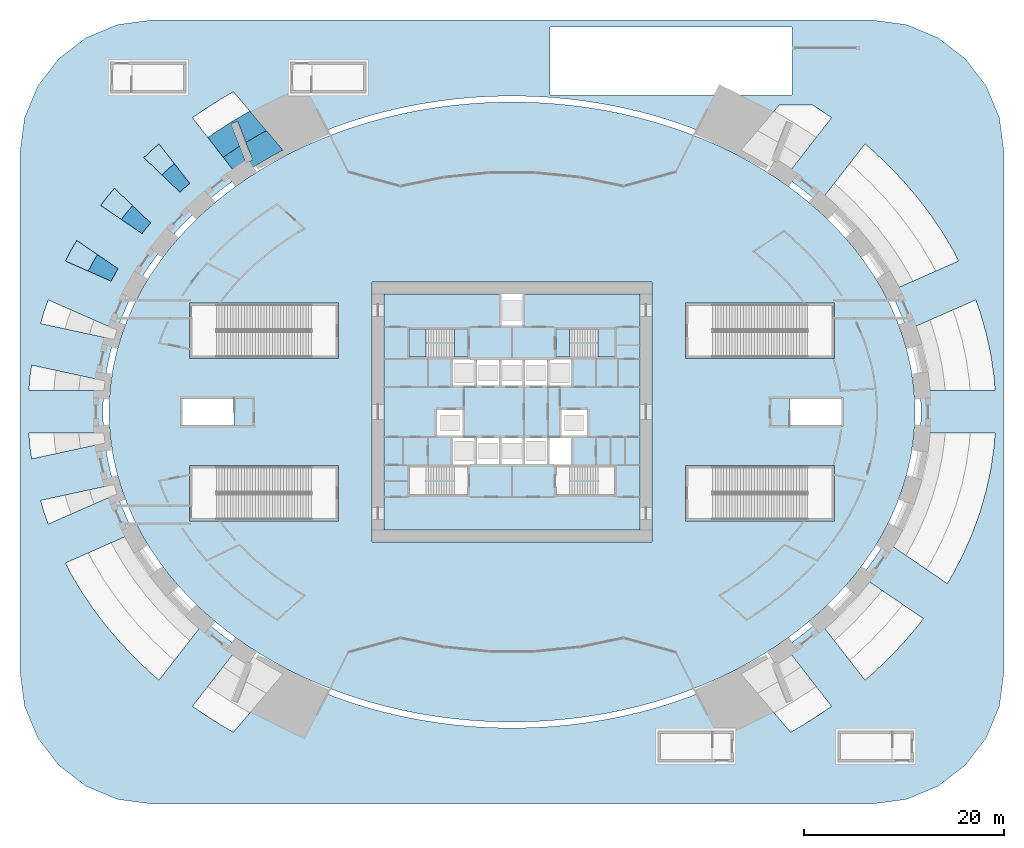
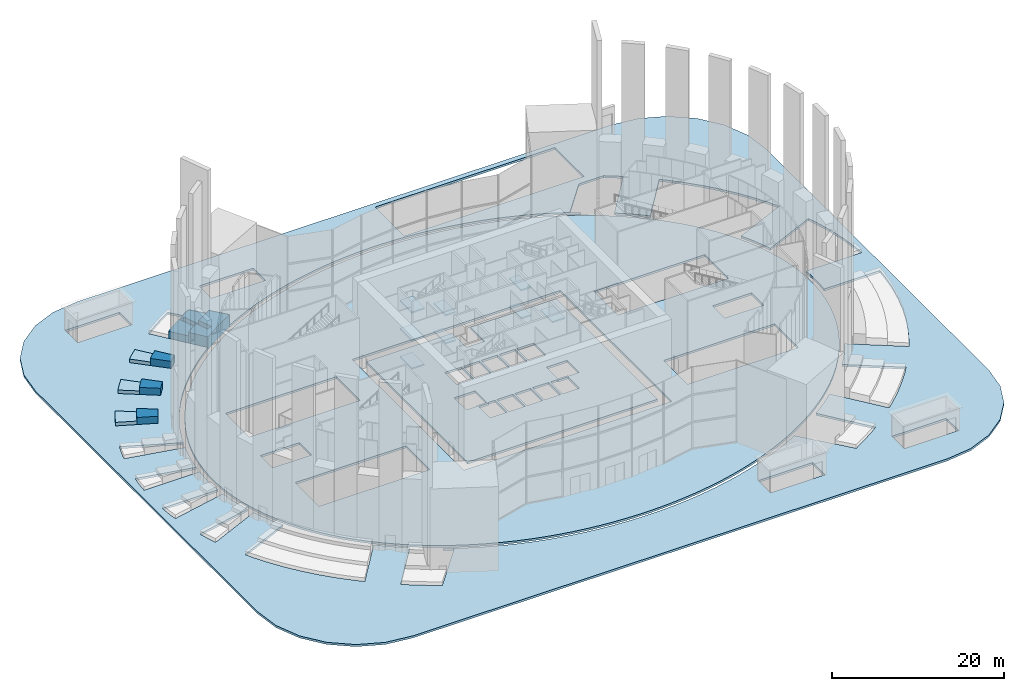
# One storey, part 4 of 25: 19 slabs, 2 elements without a shape of their own.
"""IFC4 building model written with IfcOpenShell, lengths in metres."""

import ifcopenshell
import ifcopenshell.guid

model = None  # the IFC model being written
_history = None  # IfcOwnerHistory: only IFC2X3 demands one
_inside = {}  # id of a spatial element -> (the spatial element, [elements in it])
_under = {}  # id of a project, library or spatial element -> (it, [spatial elements below it])
_declared = {}  # id of a project -> (the project, [libraries it declares])
_typed = {}  # id of a type object -> (the type object, [elements of that type])
_made_of = {}  # id of a material, layer set ... -> (it, [elements and type objects made of it])


def new_model(schema):
    """Start an empty IFC model of exactly this schema.

    Asked for "IFC4X3", IfcOpenShell would pick the latest addendum, in which some entities
    have other attributes; the version numbers below select the first issue.
    IFC2X3 requires an IfcOwnerHistory on every rooted entity: one is made here for all.
    """
    global model, _history
    if schema == "IFC4X3":
        model = ifcopenshell.file(schema_version=(4, 3, 0, 0))
    else:
        model = ifcopenshell.file(schema=schema)
    _inside.clear()
    _under.clear()
    _declared.clear()
    _typed.clear()
    _made_of.clear()
    _history = None
    if model.schema == "IFC2X3":
        org = make("IfcOrganization", Name="unknown")
        user = make(
            "IfcPersonAndOrganization",
            ThePerson=make("IfcPerson", FamilyName="unknown"),
            TheOrganization=org,
        )
        app = make(
            "IfcApplication",
            ApplicationDeveloper=org,
            Version="unknown",
            ApplicationFullName="unknown",
            ApplicationIdentifier="unknown",
        )
        _history = make(
            "IfcOwnerHistory",
            OwningUser=user,
            OwningApplication=app,
            ChangeAction="ADDED",
            CreationDate=0,
        )
    return model


def make(cls, **values):
    """One entity of the class cls with the attributes given. An attribute that is None is left unset."""
    return model.create_entity(
        cls, **{name: value for name, value in values.items() if value is not None}
    )


def rooted(cls, **values):
    """An entity with a GlobalId (a new one), such as an element, a storey or a relation."""
    return make(cls, GlobalId=ifcopenshell.guid.new(), OwnerHistory=_history, **values)


def si_unit(unit_type, name, prefix=None):
    """IfcSIUnit, for example si_unit("LENGTHUNIT", "METRE", prefix="MILLI")."""
    return make("IfcSIUnit", UnitType=unit_type, Prefix=prefix, Name=name)


def assignment(units):
    """IfcUnitAssignment: the units of a project."""
    return None if units is None else make("IfcUnitAssignment", Units=units)


def point(xyz):
    """IfcCartesianPoint."""
    return None if xyz is None else make("IfcCartesianPoint", Coordinates=xyz)


def direction(xyz):
    """IfcDirection."""
    return None if xyz is None else make("IfcDirection", DirectionRatios=xyz)


def frame(location, z_axis=None, x_axis=None):
    """IfcAxis2Placement3D, a coordinate frame: its origin and axes. An axis left out is left unset."""
    return make(
        "IfcAxis2Placement3D",
        Location=point(location),
        Axis=direction(z_axis),
        RefDirection=direction(x_axis),
    )


def origin():
    """The frame at (0, 0, 0) with its axes left unset."""
    return frame((0.0, 0.0, 0.0))


def place(relative_to, where):
    """IfcLocalPlacement: puts the frame where relative to a parent placement (None: the world)."""
    return make(
        "IfcLocalPlacement", PlacementRelTo=relative_to, RelativePlacement=where
    )


def context(
    kind, dimensions, precision=None, world=None, true_north=None, identifier=None
):
    """IfcGeometricRepresentationContext, for example the 3D "Model" context."""
    return make(
        "IfcGeometricRepresentationContext",
        ContextIdentifier=identifier,
        ContextType=kind,
        CoordinateSpaceDimension=dimensions,
        Precision=precision,
        WorldCoordinateSystem=world,
        TrueNorth=true_north,
    )


def subcontext(parent, identifier, kind, view, scale=None):
    """IfcGeometricRepresentationSubContext, for example "Body" below "Model"."""
    return make(
        "IfcGeometricRepresentationSubContext",
        ContextIdentifier=identifier,
        ContextType=kind,
        ParentContext=parent,
        TargetScale=scale,
        TargetView=view,
    )


def project(units=None, contexts=None):
    """IfcProject with its units and contexts."""
    return rooted(
        "IfcProject",
        Name="project",
        RepresentationContexts=contexts,
        UnitsInContext=assignment(units),
    )


def spatial(cls, under=None, at=None, **own):
    """A site, building, storey or space (cls), placed at a placement, below another one or the project."""
    s = rooted(cls, ObjectPlacement=at, **own)
    if under is not None:
        _under.setdefault(under.id(), (under, []))[1].append(s)
    return s


def polyline(points):
    """IfcPolyline through the points."""
    return make("IfcPolyline", Points=[point(p) for p in points])


def outline(outer, holes=None, kind="AREA"):
    """IfcArbitraryClosedProfileDef: a profile drawn as a closed curve; with holes, ...WithVoids."""
    if holes is None:
        return make("IfcArbitraryClosedProfileDef", ProfileType=kind, OuterCurve=outer)
    return make(
        "IfcArbitraryProfileDefWithVoids",
        ProfileType=kind,
        OuterCurve=outer,
        InnerCurves=holes,
    )


def extrude(swept, where, along, depth):
    """IfcExtrudedAreaSolid: the profile swept, set in the frame where, extruded along a direction by depth."""
    return make(
        "IfcExtrudedAreaSolid",
        SweptArea=swept,
        Position=where,
        ExtrudedDirection=direction(along),
        Depth=depth,
    )


def shape(context_of_items, identifier, shape_type, items):
    """IfcShapeRepresentation: the items that make up one representation, for example the "Body"."""
    return make(
        "IfcShapeRepresentation",
        ContextOfItems=context_of_items,
        RepresentationIdentifier=identifier,
        RepresentationType=shape_type,
        Items=items,
    )


def source(mapping_origin, context_of_items, identifier, shape_type, items):
    """IfcRepresentationMap: a shape defined once, which mapped items show again and again."""
    return make(
        "IfcRepresentationMap",
        MappingOrigin=mapping_origin,
        MappedRepresentation=shape(context_of_items, identifier, shape_type, items),
    )


def transform(
    local_origin,
    x_axis=None,
    y_axis=None,
    z_axis=None,
    scale=None,
    scale2=None,
    scale3=None,
    uniform=True,
):
    """IfcCartesianTransformationOperator3D, or its non-uniform kind. x_axis, y_axis, z_axis: its Axis1, 2, 3."""
    if uniform:
        return make(
            "IfcCartesianTransformationOperator3D",
            Axis1=direction(x_axis),
            Axis2=direction(y_axis),
            LocalOrigin=point(local_origin),
            Scale=scale,
            Axis3=direction(z_axis),
        )
    return make(
        "IfcCartesianTransformationOperator3DnonUniform",
        Axis1=direction(x_axis),
        Axis2=direction(y_axis),
        LocalOrigin=point(local_origin),
        Scale=scale,
        Axis3=direction(z_axis),
        Scale2=scale2,
        Scale3=scale3,
    )


def mapped(mapping_source, mapping_target):
    """IfcMappedItem: shows the shape of a source again, moved by a transform."""
    return make(
        "IfcMappedItem", MappingSource=mapping_source, MappingTarget=mapping_target
    )


def material(Name=None, Category=None):
    """IfcMaterial."""
    return make("IfcMaterial", Name=Name, Category=Category)


def layer(
    of_material, thickness, ventilated=None, Name=None, Category=None, Priority=None
):
    """IfcMaterialLayer: one layer of a wall or slab, of a material (None: an air gap)."""
    return make(
        "IfcMaterialLayer",
        Material=of_material,
        LayerThickness=thickness,
        IsVentilated=ventilated,
        Name=Name,
        Category=Category,
        Priority=Priority,
    )


def layer_set(layers, Name=None):
    """IfcMaterialLayerSet."""
    return make("IfcMaterialLayerSet", MaterialLayers=layers, LayerSetName=Name)


def made_of(thing, what):
    """Note that an element or type object is made of a material, layer set ...; save() writes the relation."""
    if what is not None:
        _made_of.setdefault(what.id(), (what, []))[1].append(thing)
    return thing


def type_object(cls, material=None, **own):
    """A type object (cls), such as IfcWallType, which elements share."""
    return made_of(rooted(cls, **own), material)


def element(
    cls,
    number,
    at=None,
    inside=None,
    cuts=None,
    type_object=None,
    material=None,
    context=None,
    identifier="Body",
    shape_type=None,
    held_by="IfcProductDefinitionShape",
    body=None,
    shapes=None,
    **own,
):
    """One element of the class cls, such as IfcWall. Its Tag is "e" and its number.

    at: its placement. inside: the storey or other place that contains it. cuts: it is an
    opening in that element (IfcRelVoidsElement). A single representation is given by context,
    identifier, shape_type and body (its items); several are given by shapes. held_by: the class
    of the entity that holds the representations. save() writes the other relations.
    """
    e = rooted(cls, Tag="e%d" % number, ObjectPlacement=at, **own)
    if body is not None:
        shapes = [shape(context, identifier, shape_type, body)]
    if shapes is not None:
        e.Representation = make(held_by, Representations=shapes)
    if inside is not None:
        _inside.setdefault(inside.id(), (inside, []))[1].append(e)
    if cuts is not None:
        rooted(
            "IfcRelVoidsElement", RelatingBuildingElement=cuts, RelatedOpeningElement=e
        )
    if type_object is not None:
        _typed.setdefault(type_object.id(), (type_object, []))[1].append(e)
    return made_of(e, material)


def aggregate(whole, parts):
    """IfcRelAggregates: a whole, such as a stair, and the parts it consists of."""
    return rooted("IfcRelAggregates", RelatingObject=whole, RelatedObjects=parts)


def save(model, path):
    """Write the relations noted so far, then the file.

    IfcRelAggregates (storeys below a building ...), IfcRelContainedInSpatialStructure (elements
    in a storey), IfcRelDefinesByType, IfcRelAssociatesMaterial and IfcRelDeclares: one each for
    every whole, place, type object, material and project.
    """
    for whole, parts in _under.values():
        aggregate(whole, parts)
    for where, things in _inside.values():
        rooted(
            "IfcRelContainedInSpatialStructure",
            RelatedElements=things,
            RelatingStructure=where,
        )
    for kind, things in _typed.values():
        rooted("IfcRelDefinesByType", RelatedObjects=things, RelatingType=kind)
    for what, things in _made_of.values():
        rooted("IfcRelAssociatesMaterial", RelatedObjects=things, RelatingMaterial=what)
    for by, libraries in _declared.values():
        rooted("IfcRelDeclares", RelatingContext=by, RelatedDefinitions=libraries)
    model.write(path)


model = new_model("IFC4")

# Units and contexts
model_context = context("Model", 3, precision=1e-05, world=origin(), true_north=direction((0.0, 1.0)))
body_context = subcontext(model_context, "Body", "Model", "MODEL_VIEW")
ifc_project = project(units=[si_unit("LENGTHUNIT", "METRE"), si_unit("AREAUNIT", "SQUARE_METRE"), si_unit("VOLUMEUNIT", "CUBIC_METRE"), si_unit("PLANEANGLEUNIT", "RADIAN"), si_unit("MASSUNIT", "GRAM", prefix="KILO")], contexts=[model_context])

# Site, building, storey
site_placement = place(None, origin())
site = spatial("IfcSite", under=ifc_project, at=site_placement, CompositionType="ELEMENT")
building_placement = place(site_placement, origin())
building = spatial("IfcBuilding", under=site, at=building_placement, Name="Embergate Tower", CompositionType="ELEMENT")
storey_placement = place(building_placement, origin())
storey = spatial("IfcBuildingStorey", under=building, at=storey_placement, Name="L00", CompositionType="ELEMENT", Elevation=0.0)

# Slab
ifc_material_1 = material(Name="Concrete C50", Category="concrete")
ifc_layer_1 = layer(ifc_material_1, 0.300048828125)
ifc_layer_set_1 = layer_set([ifc_layer_1], Name="Concrete C50")
slab_type_1 = type_object("IfcSlabType", Name="Podium floor slab C50 300", PredefinedType="FLOOR", material=ifc_layer_set_1)
shared_shape_1 = source(origin(), body_context, "Body", "SweptSolid", [
    extrude(outline(polyline([(0.0, 0.0), (1.7041015625, 0.0), (3.406982421875, 0.054931640625), (5.111083984375, 0.1669921875), (6.80810546875, 0.3330078125), (8.4931640625, 0.554931640625), (10.18115234375, 0.8349609375), (11.85302734375, 1.169921875), (13.504150390625, 1.559814453125), (15.157958984375, 2.011962890625), (16.78515625, 2.518798828125), (18.383056640625, 3.079833984375), (19.98193359375, 3.7080078125), (21.5439453125, 4.390869140625), (23.06396484375, 5.126953125), (24.5830078125, 5.93798828125), (26.052978515625, 6.802001953125), (27.468994140625, 7.7158203125), (28.875, 8.71484375), (30.218017578125, 9.762939453125), (31.49609375, 10.85888671875), (32.7490234375, 12.0458984375), (33.925048828125, 13.27880859375), (35.02001953125, 14.555908203125), (36.071044921875, 15.9248046875), (37.029052734375, 17.3330078125), (37.89208984375, 18.77783203125), (38.68212890625, 20.306884765625), (39.365966796875, 21.866943359375), (39.942138671875, 23.452880859375), (40.4169921875, 25.099853515625), (40.775146484375, 26.763916015625), (41.01513671875, 28.44189453125), (41.136962890625, 30.141845703125), (41.136962890625, 31.843994140625), (41.01513671875, 33.5439453125), (40.775146484375, 35.221923828125), (40.4169921875, 36.885986328125), (39.942138671875, 38.532958984375), (39.365966796875, 40.118896484375), (38.68212890625, 41.678955078125), (37.89208984375, 43.2080078125), (37.029052734375, 44.65283203125), (36.071044921875, 46.06103515625), (35.02001953125, 47.429931640625), (33.925048828125, 48.70703125), (32.7490234375, 49.93994140625), (31.49609375, 51.126953125), (30.218017578125, 52.222900390625), (28.875, 53.27099609375), (27.468994140625, 54.27001953125), (26.052978515625, 55.183837890625), (24.5830078125, 56.0478515625), (23.06396484375, 56.85888671875), (21.5439453125, 57.594970703125), (19.98193359375, 58.27783203125), (18.383056640625, 58.906005859375), (16.78515625, 59.467041015625), (15.157958984375, 59.973876953125), (13.504150390625, 60.426025390625), (11.85302734375, 60.81591796875), (10.18115234375, 61.15087890625), (8.4931640625, 61.430908203125), (6.80810546875, 61.65283203125), (5.111083984375, 61.81884765625), (3.406982421875, 61.930908203125), (1.7041015625, 61.98583984375), (0.0, 61.98583984375), (-1.702880859375, 61.930908203125), (-3.406982421875, 61.81884765625), (-5.10400390625, 61.65283203125), (-6.7890625, 61.430908203125), (-8.47705078125, 61.15087890625), (-10.14892578125, 60.81591796875), (-11.800048828125, 60.426025390625), (-13.453857421875, 59.973876953125), (-15.0810546875, 59.467041015625), (-16.678955078125, 58.906005859375), (-18.27783203125, 58.27783203125), (-19.83984375, 57.594970703125), (-21.35986328125, 56.85888671875), (-22.87890625, 56.0478515625), (-24.348876953125, 55.183837890625), (-25.764892578125, 54.27001953125), (-27.1708984375, 53.27099609375), (-28.513916015625, 52.222900390625), (-29.7919921875, 51.126953125), (-31.044921875, 49.93994140625), (-32.220947265625, 48.70703125), (-33.31591796875, 47.429931640625), (-34.366943359375, 46.06103515625), (-35.324951171875, 44.65283203125), (-36.18798828125, 43.2080078125), (-36.97802734375, 41.678955078125), (-37.661865234375, 40.118896484375), (-38.238037109375, 38.532958984375), (-38.712890625, 36.885986328125), (-39.071044921875, 35.221923828125), (-39.31103515625, 33.5439453125), (-39.432861328125, 31.843994140625), (-39.432861328125, 30.141845703125), (-39.31103515625, 28.44189453125), (-39.071044921875, 26.763916015625), (-38.712890625, 25.099853515625), (-38.238037109375, 23.452880859375), (-37.661865234375, 21.866943359375), (-36.97802734375, 20.306884765625), (-36.18798828125, 18.77783203125), (-35.324951171875, 17.3330078125), (-34.366943359375, 15.9248046875), (-33.31591796875, 14.555908203125), (-32.220947265625, 13.27880859375), (-31.044921875, 12.0458984375), (-29.7919921875, 10.85888671875), (-28.513916015625, 9.762939453125), (-27.1708984375, 8.71484375), (-25.764892578125, 7.7158203125), (-24.348876953125, 6.802001953125), (-22.87890625, 5.93798828125), (-21.35986328125, 5.126953125), (-19.83984375, 4.390869140625), (-18.27783203125, 3.7080078125), (-16.678955078125, 3.079833984375), (-15.0810546875, 2.518798828125), (-13.453857421875, 2.011962890625), (-11.800048828125, 1.559814453125), (-10.14892578125, 1.169921875), (-8.47705078125, 0.8349609375), (-6.7890625, 0.554931640625), (-5.10400390625, 0.3330078125), (-3.406982421875, 0.1669921875), (-1.702880859375, 0.054931640625), (0.0, 0.0)]), holes=[polyline([(-13.14794921875, 17.992919921875), (-13.14794921875, 43.992919921875), (14.85205078125, 43.992919921875), (14.85205078125, 17.992919921875), (-13.14794921875, 17.992919921875)]), polyline([(-31.41796875, 20.093017578125), (-31.41796875, 25.642822265625), (-16.498046875, 25.642822265625), (-16.498046875, 20.093017578125), (-31.41796875, 20.093017578125)]), polyline([(18.2021484375, 20.093017578125), (18.2021484375, 25.642822265625), (33.1220703125, 25.642822265625), (33.1220703125, 20.093017578125), (18.2021484375, 20.093017578125)]), polyline([(-32.218017578125, 29.56787109375), (-32.218017578125, 32.41796875), (-26.9580078125, 32.41796875), (-26.9580078125, 29.56787109375), (-32.218017578125, 29.56787109375)]), polyline([(28.662109375, 29.56787109375), (28.662109375, 32.41796875), (33.922119140625, 32.41796875), (33.922119140625, 29.56787109375), (28.662109375, 29.56787109375)]), polyline([(-31.41796875, 36.343017578125), (-31.41796875, 41.892822265625), (-16.498046875, 41.892822265625), (-16.498046875, 36.343017578125), (-31.41796875, 36.343017578125)]), polyline([(18.2021484375, 36.343017578125), (18.2021484375, 41.892822265625), (33.1220703125, 41.892822265625), (33.1220703125, 36.343017578125), (18.2021484375, 36.343017578125)])]), origin(), (0.0, 0.0, 1.0), 0.300048828125),
])
slab_1_placement = place(storey_placement, frame((-0.85205078125, -30.992919921875, -0.300048828125)))
element("IfcSlab", 1, at=slab_1_placement, inside=storey, type_object=slab_type_1, Name="SLB-L00-00", PredefinedType="FLOOR", context=body_context, shape_type="MappedRepresentation", body=[
    mapped(shared_shape_1, transform((0.0, 0.0, 0.0))),
])

# Stair, slabs
ifc_material_2 = material(Name="Exit stair")
stair_type = type_object("IfcStairType", Name="Exit stair", PredefinedType="HALF_TURN_STAIR", material=ifc_material_2)
stair_1_placement = place(storey_placement, origin())
stair_1 = element("IfcStair", 2, at=stair_1_placement, inside=storey, type_object=stair_type, Name="L00 Exit stair 1", PredefinedType="HALF_TURN_STAIR")
ifc_material_3 = material(Name="Concrete C40", Category="concrete")
ifc_layer_2 = layer(ifc_material_3, 0.199951171875)
ifc_layer_set_2 = layer_set([ifc_layer_2], Name="Concrete C40")
slab_type_2 = type_object("IfcSlabType", Name="Stair landing reinforced concrete", PredefinedType="LANDING", material=ifc_layer_set_2)
shared_shape_2 = source(origin(), body_context, "Body", "SweptSolid", [
    extrude(outline(polyline([(0.0, 0.0), (1.68994140625, 0.0), (1.68994140625, 2.800048828125), (0.0, 2.800048828125), (0.0, 0.0)])), origin(), (0.0, 0.0, 1.0), 0.199951171875),
])
slab_2_placement = place(storey_placement, frame((-10.300048828125, 5.5, 1.800048828125)))
slab_2 = element("IfcSlab", 3, at=slab_2_placement, type_object=slab_type_2, Name="ST1 landing 1", PredefinedType="LANDING", context=body_context, shape_type="MappedRepresentation", body=[
    mapped(shared_shape_2, transform((0.0, 0.0, 0.0))),
])
slab_3_placement = place(storey_placement, frame((-10.300048828125, 5.5, 5.800048828125)))
slab_3 = element("IfcSlab", 4, at=slab_3_placement, type_object=slab_type_2, Name="ST1 landing 3", PredefinedType="LANDING", context=body_context, shape_type="MappedRepresentation", body=[
    mapped(shared_shape_2, transform((0.0, 0.0, 0.0))),
])
slab_4_placement = place(storey_placement, frame((-10.300048828125, 5.5, 9.800048828125)))
slab_4 = element("IfcSlab", 5, at=slab_4_placement, type_object=slab_type_2, Name="ST1 landing 5", PredefinedType="LANDING", context=body_context, shape_type="MappedRepresentation", body=[
    mapped(shared_shape_2, transform((0.0, 0.0, 0.0))),
])

# Stair, slab
stair_2_placement = place(storey_placement, origin())
stair_2 = element("IfcStair", 6, at=stair_2_placement, inside=storey, type_object=stair_type, Name="L00 Exit stair 2", PredefinedType="HALF_TURN_STAIR")
slab_5_placement = place(storey_placement, frame((8.610107421875, 5.5, 1.800048828125)))
slab_5 = element("IfcSlab", 7, at=slab_5_placement, type_object=slab_type_2, Name="ST2 landing 1", PredefinedType="LANDING", context=body_context, shape_type="MappedRepresentation", body=[
    mapped(shared_shape_2, transform((0.0, 0.0, 0.0))),
])

# Slab
shared_shape_3 = source(origin(), body_context, "Body", "SweptSolid", [
    extrude(outline(polyline([(0.0, 0.0), (1.35009765625, 0.0), (1.35009765625, 2.800048828125), (0.0, 2.800048828125), (0.0, 0.0)])), origin(), (0.0, 0.0, 1.0), 0.199951171875),
])
slab_6_placement = place(storey_placement, frame((-5.75, 5.5, 3.800048828125)))
slab_6 = element("IfcSlab", 8, at=slab_6_placement, type_object=slab_type_2, Name="ST1 landing 2", PredefinedType="LANDING", context=body_context, shape_type="MappedRepresentation", body=[
    mapped(shared_shape_3, transform((0.0, 0.0, 0.0))),
])

slab_7_placement = place(storey_placement, frame((-5.75, 5.5, 7.800048828125)))
slab_7 = element("IfcSlab", 9, at=slab_7_placement, type_object=slab_type_2, Name="ST1 landing 4", PredefinedType="LANDING", context=body_context, shape_type="MappedRepresentation", body=[
    mapped(shared_shape_3, transform((0.0, 0.0, 0.0))),
])

aggregate(stair_1, [slab_2, slab_6, slab_3, slab_7, slab_4])

slab_8_placement = place(storey_placement, frame((4.39990234375, 5.5, 3.800048828125)))
slab_8 = element("IfcSlab", 10, at=slab_8_placement, type_object=slab_type_2, Name="ST2 landing 2", PredefinedType="LANDING", context=body_context, shape_type="MappedRepresentation", body=[
    mapped(shared_shape_3, transform((0.0, 0.0, 0.0))),
])

slab_9_placement = place(storey_placement, frame((4.39990234375, 5.5, 7.800048828125)))
slab_9 = element("IfcSlab", 11, at=slab_9_placement, type_object=slab_type_2, Name="ST2 landing 4", PredefinedType="LANDING", context=body_context, shape_type="MappedRepresentation", body=[
    mapped(shared_shape_3, transform((0.0, 0.0, 0.0))),
])

aggregate(stair_2, [slab_5, slab_8, slab_9])

# Slabs
ifc_layer_3 = layer(ifc_material_3, 0.300048828125)
ifc_layer_set_3 = layer_set([ifc_layer_3], Name="Concrete C40")
slab_type_3 = type_object("IfcSlabType", Name="Core floor slab 300 reinforced concrete", PredefinedType="FLOOR", material=ifc_layer_set_3)
shared_shape_4 = source(origin(), body_context, "Body", "SweptSolid", [
    extrude(outline(polyline([(0.0, 0.0), (25.60009765625, 0.0), (25.60009765625, 23.60009765625), (14.0, 23.60009765625), (14.0, 20.300048828125), (11.60009765625, 20.300048828125), (11.60009765625, 23.60009765625), (0.0, 23.60009765625), (0.0, 0.0)]), holes=[polyline([(6.800048828125, 6.5), (6.800048828125, 9.175048828125), (8.125, 9.175048828125), (8.125, 9.300048828125), (9.074951171875, 9.300048828125), (9.074951171875, 6.5), (6.800048828125, 6.5)]), polyline([(9.324951171875, 6.5), (9.324951171875, 9.300048828125), (11.47509765625, 9.300048828125), (11.47509765625, 6.5), (9.324951171875, 6.5)]), polyline([(11.72509765625, 6.5), (11.72509765625, 9.300048828125), (13.875, 9.300048828125), (13.875, 6.5), (11.72509765625, 6.5)]), polyline([(14.125, 6.5), (14.125, 9.300048828125), (16.275146484375, 9.300048828125), (16.275146484375, 6.5), (14.125, 6.5)]), polyline([(16.525146484375, 6.5), (16.525146484375, 9.300048828125), (17.47509765625, 9.300048828125), (17.47509765625, 9.175048828125), (18.800048828125, 9.175048828125), (18.800048828125, 6.5), (16.525146484375, 6.5)]), polyline([(5.199951171875, 9.300048828125), (5.199951171875, 12.10009765625), (8.0, 12.10009765625), (8.0, 9.425048828125), (6.675048828125, 9.425048828125), (6.675048828125, 9.300048828125), (5.199951171875, 9.300048828125)]), polyline([(18.925048828125, 9.300048828125), (18.925048828125, 9.425048828125), (17.60009765625, 9.425048828125), (17.60009765625, 12.10009765625), (20.400146484375, 12.10009765625), (20.400146484375, 9.300048828125), (18.925048828125, 9.300048828125)]), polyline([(6.800048828125, 14.300048828125), (6.800048828125, 17.10009765625), (9.074951171875, 17.10009765625), (9.074951171875, 14.300048828125), (6.800048828125, 14.300048828125)]), polyline([(9.324951171875, 14.300048828125), (9.324951171875, 17.10009765625), (11.47509765625, 17.10009765625), (11.47509765625, 14.300048828125), (9.324951171875, 14.300048828125)]), polyline([(11.72509765625, 14.300048828125), (11.72509765625, 17.10009765625), (13.875, 17.10009765625), (13.875, 14.300048828125), (11.72509765625, 14.300048828125)]), polyline([(14.125, 14.300048828125), (14.125, 17.10009765625), (16.275146484375, 17.10009765625), (16.275146484375, 14.300048828125), (14.125, 14.300048828125)]), polyline([(16.525146484375, 14.300048828125), (16.525146484375, 17.10009765625), (18.800048828125, 17.10009765625), (18.800048828125, 14.300048828125), (16.525146484375, 14.300048828125)])]), origin(), (0.0, 0.0, 1.0), 0.300048828125),
])
slab_10_placement = place(storey_placement, frame((-12.800048828125, -11.800048828125, -0.300048828125)))
element("IfcSlab", 12, at=slab_10_placement, inside=storey, type_object=slab_type_3, Name="Core floor slab", PredefinedType="FLOOR", context=body_context, shape_type="MappedRepresentation", body=[
    mapped(shared_shape_4, transform((0.0, 0.0, 0.0))),
])
ifc_material_4 = material(Name="Stone on concrete fill", Category="masonry")
ifc_layer_4 = layer(ifc_material_4, 0.5)
ifc_layer_set_4 = layer_set([ifc_layer_4], Name="Stone plinth step")
slab_type_4 = type_object("IfcSlabType", Name="Plinth step stone 500", PredefinedType="USERDEFINED", material=ifc_layer_set_4)
shared_shape_5 = source(origin(), body_context, "Body", "SweptSolid", [
    extrude(outline(polyline([(0.0, 0.0), (-1.536865234375, 1.97412109375), (-1.014892578125, 2.343994140625), (0.1201171875, 3.076904296875), (0.751220703125, 1.43701171875), (1.404052734375, 1.68896484375), (0.72412109375, 3.455078125), (2.092041015625, 4.259033203125), (2.7861328125, 4.6298828125), (4.442138671875, 2.680908203125), (3.314208984375, 2.0791015625), (1.82421875, 1.201904296875), (0.38623046875, 0.27392578125), (0.0, 0.0)])), origin(), (0.0, 0.0, 1.0), 1.800048828125),
])
slab_11_placement = place(storey_placement, frame((-27.339111328125, 23.5, -0.300048828125)))
element("IfcSlab", 13, at=slab_11_placement, inside=storey, type_object=slab_type_4, Name="Plinth step", ObjectType="PLINTH STEP", PredefinedType="USERDEFINED", context=body_context, shape_type="MappedRepresentation", body=[
    mapped(shared_shape_5, transform((0.0, 0.0, 0.0))),
])
shared_shape_6 = source(origin(), body_context, "Body", "SweptSolid", [
    extrude(outline(polyline([(0.0, 0.0), (-1.537109375, 1.973876953125), (-0.87890625, 2.44091796875), (0.737060546875, 3.48388671875), (2.406982421875, 4.4658203125), (2.66796875, 4.60498046875), (4.322998046875, 2.65576171875), (3.62890625, 2.284912109375), (2.260986328125, 1.48095703125), (1.446044921875, 3.594970703125), (0.79296875, 3.3427734375), (1.656982421875, 1.102783203125), (0.52197265625, 0.369873046875), (0.0, 0.0)])), origin(), (0.0, 0.0, 1.0), 1.300048828125),
])
slab_12_placement = place(storey_placement, frame((-28.8759765625, 25.47412109375, -0.300048828125)))
element("IfcSlab", 14, at=slab_12_placement, inside=storey, type_object=slab_type_4, Name="Plinth step", ObjectType="PLINTH STEP", PredefinedType="USERDEFINED", context=body_context, shape_type="MappedRepresentation", body=[
    mapped(shared_shape_6, transform((0.0, 0.0, 0.0))),
])
shared_shape_7 = source(origin(), body_context, "Body", "SweptSolid", [
    extrude(outline(polyline([(0.0, 0.0), (-1.80810546875, 1.72900390625), (-1.190185546875, 2.31494140625), (-0.56298828125, 2.85302734375), (0.974853515625, 0.87890625), (0.48291015625, 0.45703125), (0.0, 0.0)])), origin(), (0.0, 0.0, 1.0), 1.300048828125),
])
slab_13_placement = place(storey_placement, frame((-33.200927734375, 21.97998046875, -0.300048828125)))
element("IfcSlab", 15, at=slab_13_placement, inside=storey, type_object=slab_type_4, Name="Plinth step", ObjectType="PLINTH STEP", PredefinedType="USERDEFINED", context=body_context, shape_type="MappedRepresentation", body=[
    mapped(shared_shape_7, transform((0.0, 0.0, 0.0))),
])
shared_shape_8 = source(origin(), body_context, "Body", "SweptSolid", [
    extrude(outline(polyline([(0.0, 0.0), (-2.06787109375, 1.409912109375), (-1.516845703125, 2.126953125), (-0.947021484375, 2.791015625), (0.862060546875, 1.06201171875), (0.422119140625, 0.550048828125), (0.0, 0.0)])), origin(), (0.0, 0.0, 1.0), 1.300048828125),
])
slab_14_placement = place(storey_placement, frame((-36.99609375, 17.843017578125, -0.300048828125)))
element("IfcSlab", 16, at=slab_14_placement, inside=storey, type_object=slab_type_4, Name="Plinth step", ObjectType="PLINTH STEP", PredefinedType="USERDEFINED", context=body_context, shape_type="MappedRepresentation", body=[
    mapped(shared_shape_8, transform((0.0, 0.0, 0.0))),
])
shared_shape_9 = source(origin(), body_context, "Body", "SweptSolid", [
    extrude(outline(polyline([(0.0, 0.0), (-2.2919921875, 1.008056640625), (-1.851806640625, 1.85888671875), (-1.3759765625, 2.656982421875), (0.693115234375, 1.2470703125), (0.33203125, 0.64208984375), (0.0, 0.0)])), origin(), (0.0, 0.0, 1.0), 1.300048828125),
])
slab_15_placement = place(storey_placement, frame((-40.0791015625, 13.08203125, -0.300048828125)))
element("IfcSlab", 17, at=slab_15_placement, inside=storey, type_object=slab_type_4, Name="Plinth step", ObjectType="PLINTH STEP", PredefinedType="USERDEFINED", context=body_context, shape_type="MappedRepresentation", body=[
    mapped(shared_shape_9, transform((0.0, 0.0, 0.0))),
])
shared_shape_10 = source(origin(), body_context, "Body", "SweptSolid", [
    extrude(outline(polyline([(0.0, 0.0), (-1.80908203125, 1.72900390625), (-1.054931640625, 2.443115234375), (-0.2919921875, 3.09912109375), (1.2451171875, 1.1240234375), (0.617919921875, 0.5859375), (0.0, 0.0)])), origin(), (0.0, 0.0, 1.0), 0.800048828125),
])
slab_16_placement = place(storey_placement, frame((-35.009033203125, 23.708984375, -0.300048828125)))
element("IfcSlab", 18, at=slab_16_placement, inside=storey, type_object=slab_type_4, Name="Plinth step", ObjectType="PLINTH STEP", PredefinedType="USERDEFINED", context=body_context, shape_type="MappedRepresentation", body=[
    mapped(shared_shape_10, transform((0.0, 0.0, 0.0))),
])
shared_shape_11 = source(origin(), body_context, "Body", "SweptSolid", [
    extrude(outline(polyline([(0.0, 0.0), (-2.067138671875, 1.41015625), (-1.388916015625, 2.294189453125), (-0.68798828125, 3.111083984375), (1.120849609375, 1.381103515625), (0.551025390625, 0.717041015625), (0.0, 0.0)])), origin(), (0.0, 0.0, 1.0), 0.800048828125),
])
slab_17_placement = place(storey_placement, frame((-39.06396484375, 19.2529296875, -0.300048828125)))
element("IfcSlab", 19, at=slab_17_placement, inside=storey, type_object=slab_type_4, Name="Plinth step", ObjectType="PLINTH STEP", PredefinedType="USERDEFINED", context=body_context, shape_type="MappedRepresentation", body=[
    mapped(shared_shape_11, transform((0.0, 0.0, 0.0))),
])
shared_shape_12 = source(origin(), body_context, "Body", "SweptSolid", [
    extrude(outline(polyline([(0.0, 0.0), (-2.2919921875, 1.009033203125), (-1.743896484375, 2.06787109375), (-1.15185546875, 3.059814453125), (0.916015625, 1.64892578125), (0.440185546875, 0.850830078125), (0.0, 0.0)])), origin(), (0.0, 0.0, 1.0), 0.800048828125),
])
slab_18_placement = place(storey_placement, frame((-42.37109375, 14.090087890625, -0.300048828125)))
element("IfcSlab", 20, at=slab_18_placement, inside=storey, type_object=slab_type_4, Name="Plinth step", ObjectType="PLINTH STEP", PredefinedType="USERDEFINED", context=body_context, shape_type="MappedRepresentation", body=[
    mapped(shared_shape_12, transform((0.0, 0.0, 0.0))),
])
ifc_material_5 = material(Name="Paving stone on concrete bed", Category="masonry")
ifc_layer_5 = layer(ifc_material_5, 0.300048828125)
ifc_layer_set_5 = layer_set([ifc_layer_5], Name="Stone paving")
slab_type_5 = type_object("IfcSlabType", Name="Plaza paving stone 300", PredefinedType="USERDEFINED", material=ifc_layer_set_5)
shared_shape_13 = source(origin(), body_context, "Body", "SweptSolid", [
    extrude(outline(polyline([(0.0, 0.0), (71.89599609375, 0.0), (75.362060546875, 0.4560546875), (78.5439453125, 1.77490234375), (81.27587890625, 3.8720703125), (83.373046875, 6.60400390625), (84.69189453125, 9.785888671875), (85.14794921875, 13.251953125), (85.14794921875, 65.14794921875), (84.69189453125, 68.614013671875), (83.373046875, 71.7958984375), (81.27587890625, 74.52783203125), (78.5439453125, 76.625), (75.362060546875, 77.94384765625), (71.89599609375, 78.39990234375), (0.0, 78.39990234375), (-3.466064453125, 77.94384765625), (-6.64794921875, 76.625), (-9.3798828125, 74.52783203125), (-11.47705078125, 71.7958984375), (-12.7958984375, 68.614013671875), (-13.251953125, 65.14794921875), (-13.251953125, 13.251953125), (-12.7958984375, 9.785888671875), (-11.47705078125, 6.60400390625), (-9.3798828125, 3.8720703125), (-6.64794921875, 1.77490234375), (-3.466064453125, 0.4560546875), (0.0, 0.0)]), holes=[polyline([(50.677978515625, 4.349853515625), (50.677978515625, 7.199951171875), (57.947998046875, 7.199951171875), (57.947998046875, 4.349853515625), (50.677978515625, 4.349853515625)]), polyline([(68.677978515625, 4.349853515625), (68.677978515625, 7.199951171875), (75.947998046875, 7.199951171875), (75.947998046875, 4.349853515625), (68.677978515625, 4.349853515625)]), polyline([(8.089111328125, 7.177978515625), (6.4970703125, 8.113037109375), (4.7919921875, 9.21484375), (3.998046875, 9.77783203125), (5.534912109375, 11.751953125), (7.072021484375, 13.725830078125), (8.60888671875, 15.699951171875), (7.56689453125, 16.43994140625), (6.200927734375, 17.505859375), (5.259033203125, 18.31494140625), (3.721923828125, 16.341064453125), (2.18505859375, 14.366943359375), (0.64697265625, 12.391845703125), (-0.115966796875, 13.0478515625), (-1.666015625, 14.514892578125), (-3.1298828125, 16.051025390625), (-4.5048828125, 17.65283203125), (-5.8349609375, 19.385986328125), (-7.056884765625, 21.182861328125), (-8.1669921875, 23.0419921875), (-8.715087890625, 24.100830078125), (-6.423095703125, 25.10986328125), (-4.131103515625, 26.117919921875), (-1.84033203125, 27.126953125), (-2.424072265625, 28.255859375), (-3.123046875, 29.850830078125), (-3.547119140625, 31.01904296875), (-5.839111328125, 30.010009765625), (-8.131103515625, 29.0009765625), (-10.423095703125, 27.992919921875), (-10.843017578125, 29.14892578125), (-11.19189453125, 30.35888671875), (-8.743896484375, 30.887939453125), (-6.2958984375, 31.4169921875), (-3.847900390625, 31.946044921875), (-4.198974609375, 33.159912109375), (-4.56591796875, 34.865966796875), (-4.742919921875, 36.100830078125), (-7.19091796875, 35.572021484375), (-9.638916015625, 35.04296875), (-12.087890625, 34.513916015625), (-12.26904296875, 35.783935546875), (-12.361083984375, 37.074951171875), (-9.85595703125, 37.074951171875), (-7.35205078125, 37.074951171875), (-4.846923828125, 37.074951171875), (-4.81201171875, 36.5849609375), (-4.93603515625, 38.326904296875), (-4.93603515625, 40.072998046875), (-4.81201171875, 41.81494140625), (-4.846923828125, 41.324951171875), (-7.35205078125, 41.324951171875), (-9.85595703125, 41.324951171875), (-12.361083984375, 41.324951171875), (-12.26904296875, 42.615966796875), (-12.087890625, 43.885986328125), (-9.638916015625, 43.35693359375), (-7.19091796875, 42.827880859375), (-4.742919921875, 42.299072265625), (-4.56591796875, 43.533935546875), (-4.198974609375, 45.239990234375), (-3.848388671875, 46.453857421875), (-6.2958984375, 46.98291015625), (-8.743896484375, 47.511962890625), (-11.19189453125, 48.0400390625), (-10.843017578125, 49.2509765625), (-10.423095703125, 50.406982421875), (-8.131103515625, 49.39892578125), (-5.839111328125, 48.389892578125), (-3.547119140625, 47.380859375), (-3.123046875, 48.549072265625), (-2.424072265625, 50.14404296875), (-1.615966796875, 51.70703125), (-0.735107421875, 53.181884765625), (0.242919921875, 54.619873046875), (1.31396484375, 56.015869140625), (2.429931640625, 57.31591796875), (3.626953125, 58.572021484375), (4.903076171875, 59.779052734375), (6.200927734375, 60.89404296875), (7.56689453125, 61.9599609375), (8.60888671875, 62.699951171875), (7.072021484375, 64.674072265625), (5.534912109375, 66.64794921875), (3.998046875, 68.6220703125), (4.7919921875, 69.18505859375), (6.4970703125, 70.286865234375), (8.089111328125, 71.221923828125), (9.739990234375, 69.279052734375), (11.39501953125, 67.329833984375), (13.051025390625, 65.380859375), (13.464111328125, 65.600830078125), (15.0048828125, 66.346923828125), (16.587890625, 67.0390625), (18.2080078125, 67.676025390625), (19.825927734375, 68.243896484375), (21.473876953125, 68.7568359375), (23.14794921875, 69.2138671875), (24.819091796875, 69.60888671875), (26.510986328125, 69.947998046875), (28.218994140625, 70.23095703125), (29.924072265625, 70.4560546875), (31.639892578125, 70.6240234375), (33.363037109375, 70.737060546875), (35.0859375, 70.79296875), (36.81005859375, 70.79296875), (38.532958984375, 70.737060546875), (40.256103515625, 70.6240234375), (41.971923828125, 70.4560546875), (43.677001953125, 70.23095703125), (45.385009765625, 69.947998046875), (47.076904296875, 69.60888671875), (48.748046875, 69.2138671875), (50.422119140625, 68.7568359375), (52.070068359375, 68.243896484375), (53.68798828125, 67.676025390625), (55.30810546875, 67.0390625), (56.89111328125, 66.346923828125), (58.431884765625, 65.600830078125), (59.972900390625, 64.779052734375), (58.844970703125, 65.380859375), (60.5009765625, 67.329833984375), (62.156005859375, 69.279052734375), (62.68408203125, 69.89990234375), (62.947998046875, 69.89990234375), (64.947998046875, 69.89990234375), (65.998046875, 69.89990234375), (67.10400390625, 69.18505859375), (67.89794921875, 68.6220703125), (66.361083984375, 66.64794921875), (64.823974609375, 64.674072265625), (63.287109375, 62.699951171875), (64.3291015625, 61.9599609375), (65.695068359375, 60.89404296875), (66.636962890625, 60.0849609375), (68.174072265625, 62.058837890625), (69.7109375, 64.032958984375), (71.2490234375, 66.008056640625), (72.011962890625, 65.35205078125), (73.56201171875, 63.885009765625), (75.02587890625, 62.348876953125), (76.40087890625, 60.7470703125), (77.73095703125, 59.013916015625), (78.952880859375, 57.217041015625), (80.06298828125, 55.35791015625), (80.611083984375, 54.299072265625), (78.319091796875, 53.2900390625), (76.027099609375, 52.281982421875), (73.736328125, 51.27294921875), (74.320068359375, 50.14404296875), (75.01904296875, 48.549072265625), (75.443115234375, 47.380859375), (77.735107421875, 48.389892578125), (80.027099609375, 49.39892578125), (82.319091796875, 50.406982421875), (82.739013671875, 49.2509765625), (83.367919921875, 47.070068359375), (83.844970703125, 44.85595703125), (84.1650390625, 42.615966796875), (84.257080078125, 41.324951171875), (81.751953125, 41.324951171875), (79.248046875, 41.324951171875), (76.742919921875, 41.324951171875), (76.7080078125, 41.81494140625), (76.83203125, 40.072998046875), (76.83203125, 38.326904296875), (76.7080078125, 36.5849609375), (76.742919921875, 37.074951171875), (79.248046875, 37.074951171875), (81.751953125, 37.074951171875), (84.257080078125, 37.074951171875), (84.1650390625, 35.783935546875), (83.844970703125, 33.5439453125), (83.367919921875, 31.329833984375), (82.739013671875, 29.14892578125), (81.98193359375, 27.06298828125), (81.087890625, 25.02490234375), (80.06298828125, 23.0419921875), (79.470947265625, 22.050048828125), (77.403076171875, 23.4609375), (75.333984375, 24.870849609375), (73.266357421875, 26.28173828125), (72.631103515625, 25.218017578125), (71.653076171875, 23.780029296875), (70.87646484375, 22.767822265625), (72.944091796875, 21.35693359375), (75.011962890625, 19.947021484375), (77.0791015625, 18.536865234375), (76.40087890625, 17.65283203125), (75.02587890625, 16.051025390625), (73.56201171875, 14.514892578125), (72.011962890625, 13.0478515625), (71.2490234375, 12.391845703125), (69.7119140625, 14.366943359375), (68.174072265625, 16.341064453125), (66.636962890625, 18.31494140625), (66.992919921875, 18.620849609375), (65.695068359375, 17.505859375), (64.3291015625, 16.43994140625), (63.287109375, 15.699951171875), (64.823974609375, 13.725830078125), (66.361083984375, 11.751953125), (67.89794921875, 9.77783203125), (67.10400390625, 9.21484375), (65.39892578125, 8.113037109375), (63.806884765625, 7.177978515625), (62.156005859375, 9.120849609375), (60.5009765625, 11.070068359375), (58.844970703125, 13.01904296875), (58.431884765625, 12.799072265625), (56.89111328125, 12.052978515625), (55.30810546875, 11.36083984375), (53.68798828125, 10.723876953125), (52.070068359375, 10.156005859375), (50.422119140625, 9.64306640625), (48.748046875, 9.18603515625), (47.076904296875, 8.791015625), (45.385009765625, 8.451904296875), (43.677001953125, 8.1689453125), (41.971923828125, 7.94384765625), (40.256103515625, 7.77587890625), (38.532958984375, 7.662841796875), (36.81005859375, 7.60693359375), (35.0859375, 7.60693359375), (33.363037109375, 7.662841796875), (31.639892578125, 7.77587890625), (29.924072265625, 7.94384765625), (28.218994140625, 8.1689453125), (26.510986328125, 8.451904296875), (24.819091796875, 8.791015625), (23.14794921875, 9.18603515625), (21.473876953125, 9.64306640625), (19.825927734375, 10.156005859375), (18.2080078125, 10.723876953125), (16.587890625, 11.36083984375), (15.0048828125, 12.052978515625), (13.464111328125, 12.799072265625), (11.923095703125, 13.620849609375), (13.051025390625, 13.01904296875), (11.39501953125, 11.070068359375), (9.739990234375, 9.120849609375), (8.089111328125, 7.177978515625)]), polyline([(-4.131103515625, 52.281982421875), (-6.423095703125, 53.2900390625), (-8.715087890625, 54.299072265625), (-8.1669921875, 55.35791015625), (-7.574951171875, 56.349853515625), (-5.507080078125, 54.93896484375), (-3.43798828125, 53.529052734375), (-3.799072265625, 52.924072265625), (-4.131103515625, 52.281982421875)]), polyline([(-1.048095703125, 57.04296875), (-3.115966796875, 58.452880859375), (-5.18310546875, 59.863037109375), (-4.5048828125, 60.7470703125), (-3.803955078125, 61.56396484375), (-1.9951171875, 59.833984375), (-0.18603515625, 58.10498046875), (-0.6259765625, 57.593017578125), (-1.048095703125, 57.04296875)]), polyline([(2.7470703125, 61.179931640625), (0.93896484375, 62.908935546875), (-0.8701171875, 64.637939453125), (-0.115966796875, 65.35205078125), (0.64697265625, 66.008056640625), (2.18408203125, 64.032958984375), (3.721923828125, 62.058837890625), (3.22998046875, 61.636962890625), (2.7470703125, 61.179931640625)]), polyline([(39.748046875, 70.89990234375), (39.748046875, 77.699951171875), (63.947998046875, 77.699951171875), (63.947998046875, 70.89990234375), (39.748046875, 70.89990234375)]), polyline([(-4.052001953125, 71.199951171875), (-4.052001953125, 74.050048828125), (3.218017578125, 74.050048828125), (3.218017578125, 71.199951171875), (-4.052001953125, 71.199951171875)]), polyline([(13.947998046875, 71.199951171875), (13.947998046875, 74.050048828125), (21.218017578125, 74.050048828125), (21.218017578125, 71.199951171875), (13.947998046875, 71.199951171875)])]), origin(), (0.0, 0.0, 1.0), 0.300048828125),
])
slab_19_placement = place(storey_placement, frame((-35.947998046875, -39.199951171875, -0.300048828125)))
element("IfcSlab", 21, at=slab_19_placement, inside=storey, type_object=slab_type_5, Name="Plaza paving", ObjectType="PAVING", PredefinedType="USERDEFINED", context=body_context, shape_type="MappedRepresentation", body=[
    mapped(shared_shape_13, transform((0.0, 0.0, 0.0))),
])

save(model, "model.ifc")
